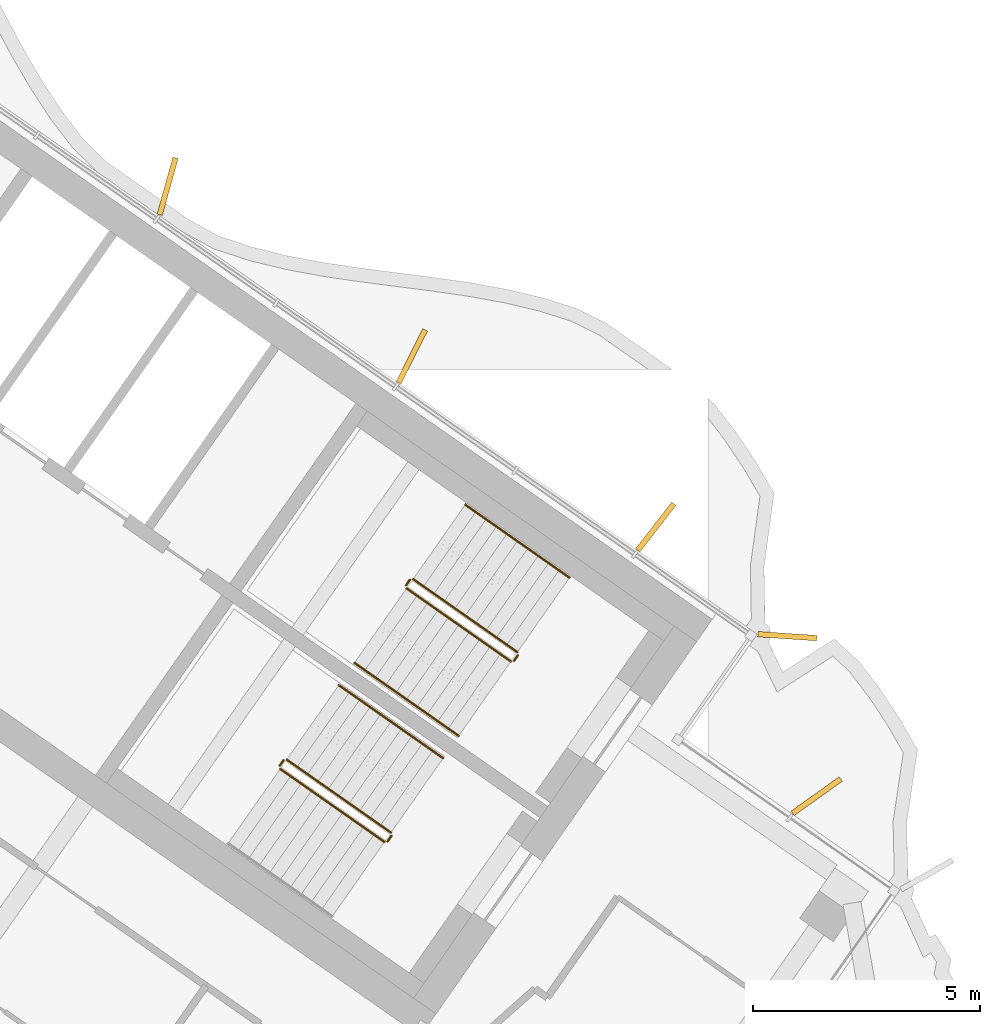
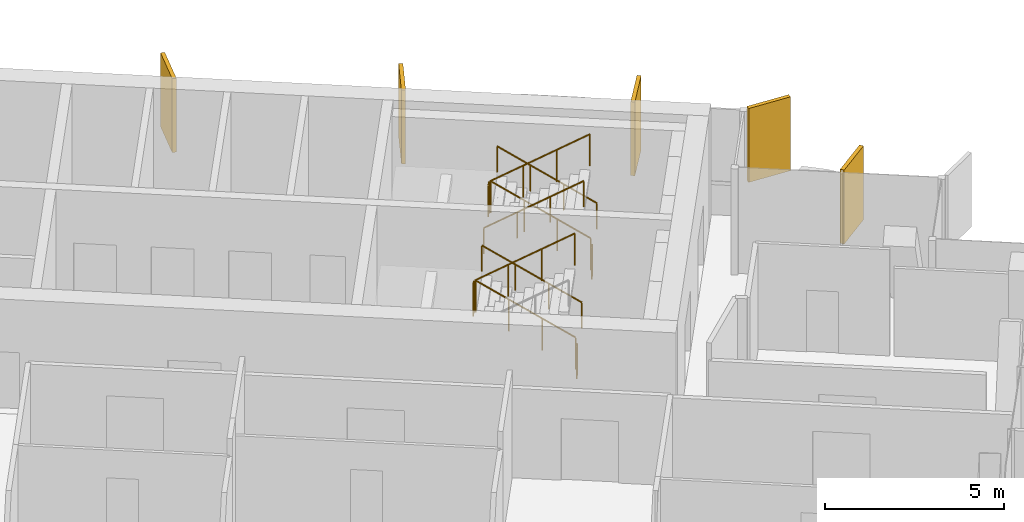
# One storey, part 19 of 20: 11 railings, 5 shading devices.
"""IFC4 building model written with IfcOpenShell, lengths in metres."""

import ifcopenshell
import ifcopenshell.guid

model = None  # the IFC model being written
_history = None  # IfcOwnerHistory: only IFC2X3 demands one
_inside = {}  # id of a spatial element -> (the spatial element, [elements in it])
_under = {}  # id of a project, library or spatial element -> (it, [spatial elements below it])
_declared = {}  # id of a project -> (the project, [libraries it declares])
_typed = {}  # id of a type object -> (the type object, [elements of that type])
_made_of = {}  # id of a material, layer set ... -> (it, [elements and type objects made of it])


def new_model(schema):
    """Start an empty IFC model of exactly this schema.

    Asked for "IFC4X3", IfcOpenShell would pick the latest addendum, in which some entities
    have other attributes; the version numbers below select the first issue.
    IFC2X3 requires an IfcOwnerHistory on every rooted entity: one is made here for all.
    """
    global model, _history
    if schema == "IFC4X3":
        model = ifcopenshell.file(schema_version=(4, 3, 0, 0))
    else:
        model = ifcopenshell.file(schema=schema)
    _inside.clear()
    _under.clear()
    _declared.clear()
    _typed.clear()
    _made_of.clear()
    _history = None
    if model.schema == "IFC2X3":
        org = make("IfcOrganization", Name="unknown")
        user = make(
            "IfcPersonAndOrganization",
            ThePerson=make("IfcPerson", FamilyName="unknown"),
            TheOrganization=org,
        )
        app = make(
            "IfcApplication",
            ApplicationDeveloper=org,
            Version="unknown",
            ApplicationFullName="unknown",
            ApplicationIdentifier="unknown",
        )
        _history = make(
            "IfcOwnerHistory",
            OwningUser=user,
            OwningApplication=app,
            ChangeAction="ADDED",
            CreationDate=0,
        )
    return model


def make(cls, **values):
    """One entity of the class cls with the attributes given. An attribute that is None is left unset."""
    return model.create_entity(
        cls, **{name: value for name, value in values.items() if value is not None}
    )


def rooted(cls, **values):
    """An entity with a GlobalId (a new one), such as an element, a storey or a relation."""
    return make(cls, GlobalId=ifcopenshell.guid.new(), OwnerHistory=_history, **values)


def si_unit(unit_type, name, prefix=None):
    """IfcSIUnit, for example si_unit("LENGTHUNIT", "METRE", prefix="MILLI")."""
    return make("IfcSIUnit", UnitType=unit_type, Prefix=prefix, Name=name)


def assignment(units):
    """IfcUnitAssignment: the units of a project."""
    return None if units is None else make("IfcUnitAssignment", Units=units)


def point(xyz):
    """IfcCartesianPoint."""
    return None if xyz is None else make("IfcCartesianPoint", Coordinates=xyz)


def direction(xyz):
    """IfcDirection."""
    return None if xyz is None else make("IfcDirection", DirectionRatios=xyz)


def frame(location, z_axis=None, x_axis=None):
    """IfcAxis2Placement3D, a coordinate frame: its origin and axes. An axis left out is left unset."""
    return make(
        "IfcAxis2Placement3D",
        Location=point(location),
        Axis=direction(z_axis),
        RefDirection=direction(x_axis),
    )


def frame_2d(location, x_axis=None):
    """IfcAxis2Placement2D, a coordinate frame in the plane: its origin and x axis."""
    return make(
        "IfcAxis2Placement2D", Location=point(location), RefDirection=direction(x_axis)
    )


def origin():
    """The frame at (0, 0, 0) with its axes left unset."""
    return frame((0.0, 0.0, 0.0))


def origin_2d():
    """The frame at (0, 0) in the plane with its x axis left unset."""
    return frame_2d((0.0, 0.0))


def place(relative_to, where):
    """IfcLocalPlacement: puts the frame where relative to a parent placement (None: the world)."""
    return make(
        "IfcLocalPlacement", PlacementRelTo=relative_to, RelativePlacement=where
    )


def context(
    kind, dimensions, precision=None, world=None, true_north=None, identifier=None
):
    """IfcGeometricRepresentationContext, for example the 3D "Model" context."""
    return make(
        "IfcGeometricRepresentationContext",
        ContextIdentifier=identifier,
        ContextType=kind,
        CoordinateSpaceDimension=dimensions,
        Precision=precision,
        WorldCoordinateSystem=world,
        TrueNorth=true_north,
    )


def subcontext(parent, identifier, kind, view, scale=None):
    """IfcGeometricRepresentationSubContext, for example "Body" below "Model"."""
    return make(
        "IfcGeometricRepresentationSubContext",
        ContextIdentifier=identifier,
        ContextType=kind,
        ParentContext=parent,
        TargetScale=scale,
        TargetView=view,
    )


def project(units=None, contexts=None):
    """IfcProject with its units and contexts."""
    return rooted(
        "IfcProject",
        Name="project",
        RepresentationContexts=contexts,
        UnitsInContext=assignment(units),
    )


def spatial(cls, under=None, at=None, **own):
    """A site, building, storey or space (cls), placed at a placement, below another one or the project."""
    s = rooted(cls, ObjectPlacement=at, **own)
    if under is not None:
        _under.setdefault(under.id(), (under, []))[1].append(s)
    return s


def profile(cls, at=None, kind="AREA", **sizes):
    """A parametric profile (cls). Its sizes go by their IFC names, for example OverallWidth=200.0."""
    return make(cls, ProfileType=kind, Position=at, **sizes)


def rectangle(**sizes):
    """IfcRectangleProfileDef."""
    return profile("IfcRectangleProfileDef", **sizes)


def circle(**sizes):
    """IfcCircleProfileDef."""
    return profile("IfcCircleProfileDef", **sizes)


def extrude(swept, where, along, depth):
    """IfcExtrudedAreaSolid: the profile swept, set in the frame where, extruded along a direction by depth."""
    return make(
        "IfcExtrudedAreaSolid",
        SweptArea=swept,
        Position=where,
        ExtrudedDirection=direction(along),
        Depth=depth,
    )


def shape(context_of_items, identifier, shape_type, items):
    """IfcShapeRepresentation: the items that make up one representation, for example the "Body"."""
    return make(
        "IfcShapeRepresentation",
        ContextOfItems=context_of_items,
        RepresentationIdentifier=identifier,
        RepresentationType=shape_type,
        Items=items,
    )


def material(Name=None, Category=None):
    """IfcMaterial."""
    return make("IfcMaterial", Name=Name, Category=Category)


def layer(
    of_material, thickness, ventilated=None, Name=None, Category=None, Priority=None
):
    """IfcMaterialLayer: one layer of a wall or slab, of a material (None: an air gap)."""
    return make(
        "IfcMaterialLayer",
        Material=of_material,
        LayerThickness=thickness,
        IsVentilated=ventilated,
        Name=Name,
        Category=Category,
        Priority=Priority,
    )


def layer_set(layers, Name=None):
    """IfcMaterialLayerSet."""
    return make("IfcMaterialLayerSet", MaterialLayers=layers, LayerSetName=Name)


def made_of(thing, what):
    """Note that an element or type object is made of a material, layer set ...; save() writes the relation."""
    if what is not None:
        _made_of.setdefault(what.id(), (what, []))[1].append(thing)
    return thing


def type_object(cls, material=None, **own):
    """A type object (cls), such as IfcWallType, which elements share."""
    return made_of(rooted(cls, **own), material)


def element(
    cls,
    number,
    at=None,
    inside=None,
    cuts=None,
    type_object=None,
    material=None,
    context=None,
    identifier="Body",
    shape_type=None,
    held_by="IfcProductDefinitionShape",
    body=None,
    shapes=None,
    **own,
):
    """One element of the class cls, such as IfcWall. Its Tag is "e" and its number.

    at: its placement. inside: the storey or other place that contains it. cuts: it is an
    opening in that element (IfcRelVoidsElement). A single representation is given by context,
    identifier, shape_type and body (its items); several are given by shapes. held_by: the class
    of the entity that holds the representations. save() writes the other relations.
    """
    e = rooted(cls, Tag="e%d" % number, ObjectPlacement=at, **own)
    if body is not None:
        shapes = [shape(context, identifier, shape_type, body)]
    if shapes is not None:
        e.Representation = make(held_by, Representations=shapes)
    if inside is not None:
        _inside.setdefault(inside.id(), (inside, []))[1].append(e)
    if cuts is not None:
        rooted(
            "IfcRelVoidsElement", RelatingBuildingElement=cuts, RelatedOpeningElement=e
        )
    if type_object is not None:
        _typed.setdefault(type_object.id(), (type_object, []))[1].append(e)
    return made_of(e, material)


def aggregate(whole, parts):
    """IfcRelAggregates: a whole, such as a stair, and the parts it consists of."""
    return rooted("IfcRelAggregates", RelatingObject=whole, RelatedObjects=parts)


def save(model, path):
    """Write the relations noted so far, then the file.

    IfcRelAggregates (storeys below a building ...), IfcRelContainedInSpatialStructure (elements
    in a storey), IfcRelDefinesByType, IfcRelAssociatesMaterial and IfcRelDeclares: one each for
    every whole, place, type object, material and project.
    """
    for whole, parts in _under.values():
        aggregate(whole, parts)
    for where, things in _inside.values():
        rooted(
            "IfcRelContainedInSpatialStructure",
            RelatedElements=things,
            RelatingStructure=where,
        )
    for kind, things in _typed.values():
        rooted("IfcRelDefinesByType", RelatedObjects=things, RelatingType=kind)
    for what, things in _made_of.values():
        rooted("IfcRelAssociatesMaterial", RelatedObjects=things, RelatingMaterial=what)
    for by, libraries in _declared.values():
        rooted("IfcRelDeclares", RelatingContext=by, RelatedDefinitions=libraries)
    model.write(path)


model = new_model("IFC4")

# Units and contexts
model_context = context("Model", 3, precision=1e-05, world=origin(), true_north=direction((0.0, 1.0)))
body_context = subcontext(model_context, "Body", "Model", "MODEL_VIEW")
ifc_project = project(units=[si_unit("LENGTHUNIT", "METRE"), si_unit("AREAUNIT", "SQUARE_METRE"), si_unit("VOLUMEUNIT", "CUBIC_METRE"), si_unit("PLANEANGLEUNIT", "RADIAN"), si_unit("MASSUNIT", "GRAM", prefix="KILO")], contexts=[model_context])

# Site, building, storey
site_placement = place(None, origin())
site = spatial("IfcSite", under=ifc_project, at=site_placement, CompositionType="ELEMENT")
building_placement = place(site_placement, origin())
building = spatial("IfcBuilding", under=site, at=building_placement, Name="Tel Ilan Convention Tower", CompositionType="ELEMENT")
storey_placement = place(building_placement, frame((0.0, 0.0, 244.89990234375)))
storey = spatial("IfcBuildingStorey", under=building, at=storey_placement, Name="L57", CompositionType="ELEMENT", Elevation=244.89990234375)

# Shading devices
ifc_material_1 = material(Name="Aluminium, bronze anodised", Category="aluminium")
ifc_layer = layer(ifc_material_1, 0.1201171875)
ifc_layer_set = layer_set([ifc_layer], Name="FIN BRONZE 1300x120")
shading_device_type = type_object("IfcShadingDeviceType", Name="FIN BRONZE 1300x120", PredefinedType="USERDEFINED", material=ifc_layer_set)
for number, where, z_axis, x_axis, name in (
    (1, (29.62109375, -7.500732421875, 1.10009765625), (0.0, 0.0, 1.0), (0.997697449973, -0.067821812994, 0.0), "FIN"),
    (2, (26.725830078125, -5.099853515625, 1.10009765625), (0.0, 0.0, 1.0), (0.612600545196, 0.790392669516, 0.0), "FIN"),
    (3, (21.357421875, -1.34130859375, 1.10009765625), (0.0, 0.0, 1.0), (0.448799180206, 0.893632640321, 0.0), "FIN"),
    (4, (15.981201171875, 2.39990234375, 1.10009765625), (0.0, 0.0, 1.0), (0.268172612768, 0.963370878614, 0.0), "FIN"),
    (5, (30.268310546875, -11.022216796875, 1.10009765625), (0.0, 0.0, 1.0), (0.813552070258, 0.581492071294, 0.0), "FIN"),
):
    element("IfcShadingDevice", number, at=place(storey_placement, frame(where, z_axis=z_axis, x_axis=x_axis)), inside=storey, type_object=shading_device_type, Name=name, ObjectType="FIN", PredefinedType="USERDEFINED", context=body_context, shape_type="SweptSolid", body=[
        extrude(rectangle(XDim=1.300048828125, YDim=0.1201171875, at=origin_2d()), origin(), (0.0, 0.0, 1.0), 2.52001953125),
    ])

# Railings
ifc_material_2 = material(Name="Stainless Steel Grade 316", Category="steel")
railing_type_1 = type_object("IfcRailingType", Name="Stainless Steel Stair Guard 1100 mm", PredefinedType="GUARDRAIL", material=ifc_material_2)
railing_1_placement = place(storey_placement, frame((23.6787109375, -7.8515625, 0.177490234375)))
element("IfcRailing", 6, at=railing_1_placement, inside=storey, type_object=railing_type_1, Name="L57 S3 stair guard 1", PredefinedType="GUARDRAIL", context=body_context, shape_type="SweptSolid", body=[
    extrude(circle(Radius=0.02392578125, at=origin_2d()), frame((0.0, 0.0, 1.076171875), z_axis=(-0.692084706163, 0.484621375041, 0.534940073605), x_axis=(-0.573591086599, -0.819141785879, 0.0)), (0.0, 0.0, 1.0), 3.313720703125),
    extrude(circle(Radius=0.02099609375, at=origin_2d()), origin(), (0.0, 0.0, 1.0), 1.052001953125),
    extrude(circle(Radius=0.02099609375, at=origin_2d()), frame((-0.764404296875, 0.535400390625, 0.5908203125)), (0.0, 0.0, 1.0), 1.052001953125),
    extrude(circle(Radius=0.02099609375, at=origin_2d()), frame((-1.529052734375, 1.070556640625, 1.181884765625)), (0.0, 0.0, 1.0), 1.052001953125),
    extrude(circle(Radius=0.02099609375, at=origin_2d()), frame((-2.29345703125, 1.60595703125, 1.772705078125)), (0.0, 0.0, 1.0), 1.052001953125),
])
railing_2_placement = place(storey_placement, frame((21.3154296875, -6.2578125, 1.9501953125)))
element("IfcRailing", 7, at=railing_2_placement, inside=storey, type_object=railing_type_1, Name="L57 S3 stair guard 2", PredefinedType="GUARDRAIL", context=body_context, shape_type="SweptSolid", body=[
    extrude(circle(Radius=0.02392578125, at=origin_2d()), frame((0.0, 0.0, 1.076171875), z_axis=(-0.573353020881, -0.819308436089, 0.0), x_axis=(0.819308436089, -0.573353020881, 0.0)), (0.0, 0.0, 1.0), 0.14990234375),
    extrude(circle(Radius=0.02099609375, at=origin_2d()), origin(), (0.0, 0.0, 1.0), 1.052001953125),
    extrude(circle(Radius=0.02099609375, at=origin_2d()), frame((-0.0859375, -0.122802734375, 0.0)), (0.0, 0.0, 1.0), 1.052001953125),
])
railing_3_placement = place(storey_placement, frame((21.24169921875, -6.4501953125, 2.12744140625)))
element("IfcRailing", 8, at=railing_3_placement, inside=storey, type_object=railing_type_1, Name="L57 S3 stair guard 3", PredefinedType="GUARDRAIL", context=body_context, shape_type="SweptSolid", body=[
    extrude(circle(Radius=0.02392578125, at=origin_2d()), frame((0.0, 0.0, 1.076171875), z_axis=(0.692098378994, -0.484653031975, 0.534893701956), x_axis=(0.573608623498, 0.819129505664, 0.0)), (0.0, 0.0, 1.0), 3.314208984375),
    extrude(circle(Radius=0.02099609375, at=origin_2d()), origin(), (0.0, 0.0, 1.0), 1.052001953125),
    extrude(circle(Radius=0.02099609375, at=origin_2d()), frame((0.7646484375, -0.535400390625, 0.5908203125)), (0.0, 0.0, 1.0), 1.052001953125),
    extrude(circle(Radius=0.02099609375, at=origin_2d()), frame((1.529052734375, -1.07080078125, 1.181884765625)), (0.0, 0.0, 1.0), 1.052001953125),
    extrude(circle(Radius=0.02099609375, at=origin_2d()), frame((2.293701171875, -1.606201171875, 1.772705078125)), (0.0, 0.0, 1.0), 1.052001953125),
])
railing_4_placement = place(storey_placement, frame((23.691162109375, -7.921142578125, 0.0)))
element("IfcRailing", 9, at=railing_4_placement, inside=storey, type_object=railing_type_1, Name="L57 S3 stair guard 4", PredefinedType="GUARDRAIL", context=body_context, shape_type="SweptSolid", body=[
    extrude(circle(Radius=0.02392578125, at=origin_2d()), frame((0.0, 0.0, 1.076171875), z_axis=(-0.574444878118, -0.818543268254, 0.0), x_axis=(0.818543268254, -0.574444878118, 0.0)), (0.0, 0.0, 1.0), 0.150146484375),
    extrude(circle(Radius=0.02099609375, at=origin_2d()), origin(), (0.0, 0.0, 1.0), 1.052001953125),
    extrude(circle(Radius=0.02099609375, at=origin_2d()), frame((-0.086181640625, -0.122802734375, 0.0)), (0.0, 0.0, 1.0), 1.052001953125),
])
railing_5_placement = place(storey_placement, frame((20.89697265625, -11.824462890625, 0.177490234375)))
element("IfcRailing", 10, at=railing_5_placement, inside=storey, type_object=railing_type_1, Name="L57 S4 stair guard 1", PredefinedType="GUARDRAIL", context=body_context, shape_type="SweptSolid", body=[
    extrude(circle(Radius=0.02392578125, at=origin_2d()), frame((0.0, 0.0, 1.076171875), z_axis=(-0.692123088272, 0.484596665743, 0.534912798717), x_axis=(-0.573550118428, -0.819170471667, 0.0)), (0.0, 0.0, 1.0), 3.31396484375),
    extrude(circle(Radius=0.02099609375, at=origin_2d()), origin(), (0.0, 0.0, 1.0), 1.052001953125),
    extrude(circle(Radius=0.02099609375, at=origin_2d()), frame((-0.7646484375, 0.535400390625, 0.5908203125)), (0.0, 0.0, 1.0), 1.052001953125),
    extrude(circle(Radius=0.02099609375, at=origin_2d()), frame((-1.529052734375, 1.070556640625, 1.181884765625)), (0.0, 0.0, 1.0), 1.052001953125),
    extrude(circle(Radius=0.02099609375, at=origin_2d()), frame((-2.293701171875, 1.60595703125, 1.772705078125)), (0.0, 0.0, 1.0), 1.052001953125),
])
railing_6_placement = place(storey_placement, frame((18.53369140625, -10.230712890625, 1.9501953125)))
element("IfcRailing", 11, at=railing_6_placement, inside=storey, type_object=railing_type_1, Name="L57 S4 stair guard 2", PredefinedType="GUARDRAIL", context=body_context, shape_type="SweptSolid", body=[
    extrude(circle(Radius=0.02392578125, at=origin_2d()), frame((0.0, 0.0, 1.076171875), z_axis=(-0.573353020881, -0.819308436089, 0.0), x_axis=(0.819308436089, -0.573353020881, 0.0)), (0.0, 0.0, 1.0), 0.14990234375),
    extrude(circle(Radius=0.02099609375, at=origin_2d()), origin(), (0.0, 0.0, 1.0), 1.052001953125),
    extrude(circle(Radius=0.02099609375, at=origin_2d()), frame((-0.0859375, -0.122802734375, 0.0)), (0.0, 0.0, 1.0), 1.052001953125),
])
railing_7_placement = place(storey_placement, frame((18.4599609375, -10.423095703125, 2.12744140625)))
element("IfcRailing", 12, at=railing_7_placement, inside=storey, type_object=railing_type_1, Name="L57 S4 stair guard 3", PredefinedType="GUARDRAIL", context=body_context, shape_type="SweptSolid", body=[
    extrude(circle(Radius=0.02392578125, at=origin_2d()), frame((0.0, 0.0, 1.076171875), z_axis=(0.692098378994, -0.484653031975, 0.534893701956), x_axis=(0.573608623498, 0.819129505664, 0.0)), (0.0, 0.0, 1.0), 3.314208984375),
    extrude(circle(Radius=0.02099609375, at=origin_2d()), origin(), (0.0, 0.0, 1.0), 1.052001953125),
    extrude(circle(Radius=0.02099609375, at=origin_2d()), frame((0.7646484375, -0.535400390625, 0.5908203125)), (0.0, 0.0, 1.0), 1.052001953125),
    extrude(circle(Radius=0.02099609375, at=origin_2d()), frame((1.529052734375, -1.07080078125, 1.181884765625)), (0.0, 0.0, 1.0), 1.052001953125),
    extrude(circle(Radius=0.02099609375, at=origin_2d()), frame((2.293701171875, -1.606201171875, 1.772705078125)), (0.0, 0.0, 1.0), 1.052001953125),
])
railing_8_placement = place(storey_placement, frame((20.9091796875, -11.89404296875, 0.0)))
element("IfcRailing", 13, at=railing_8_placement, inside=storey, type_object=railing_type_1, Name="L57 S4 stair guard 4", PredefinedType="GUARDRAIL", context=body_context, shape_type="SweptSolid", body=[
    extrude(circle(Radius=0.02392578125, at=origin_2d()), frame((0.0, 0.0, 1.076171875), z_axis=(-0.573353020881, -0.819308436089, 0.0), x_axis=(0.819308436089, -0.573353020881, 0.0)), (0.0, 0.0, 1.0), 0.14990234375),
    extrude(circle(Radius=0.02099609375, at=origin_2d()), origin(), (0.0, 0.0, 1.0), 1.052001953125),
    extrude(circle(Radius=0.02099609375, at=origin_2d()), frame((-0.0859375, -0.122802734375, 0.0)), (0.0, 0.0, 1.0), 1.052001953125),
])
ifc_material_3 = material(Name="Stainless Steel Grade 316", Category="steel")
railing_type_2 = type_object("IfcRailingType", Name="Stainless Steel Stair Handrail 900 mm", PredefinedType="HANDRAIL", material=ifc_material_3)
railing_9_placement = place(storey_placement, frame((24.825927734375, -6.213134765625, 0.177490234375)))
element("IfcRailing", 14, at=railing_9_placement, inside=storey, type_object=railing_type_2, Name="L57 S3 stair handrail 1", PredefinedType="HANDRAIL", context=body_context, shape_type="SweptSolid", body=[
    extrude(circle(Radius=0.02392578125, at=origin_2d()), frame((0.0, 0.0, 0.8759765625), z_axis=(-0.692123088272, 0.484596665743, 0.534912798717), x_axis=(-0.573550118428, -0.819170471667, 0.0)), (0.0, 0.0, 1.0), 3.31396484375),
    extrude(circle(Radius=0.02099609375, at=origin_2d()), origin(), (0.0, 0.0, 1.0), 0.851806640625),
    extrude(circle(Radius=0.02099609375, at=origin_2d()), frame((-0.7646484375, 0.535400390625, 0.5908203125)), (0.0, 0.0, 1.0), 0.851806640625),
    extrude(circle(Radius=0.02099609375, at=origin_2d()), frame((-1.529052734375, 1.070556640625, 1.181884765625)), (0.0, 0.0, 1.0), 0.851806640625),
    extrude(circle(Radius=0.02099609375, at=origin_2d()), frame((-2.293701171875, 1.60595703125, 1.772705078125)), (0.0, 0.0, 1.0), 0.851806640625),
])
railing_10_placement = place(storey_placement, frame((20.0947265625, -8.088623046875, 2.12744140625)))
element("IfcRailing", 15, at=railing_10_placement, inside=storey, type_object=railing_type_2, Name="L57 S3 stair handrail 2", PredefinedType="HANDRAIL", context=body_context, shape_type="SweptSolid", body=[
    extrude(circle(Radius=0.02392578125, at=origin_2d()), frame((0.0, 0.0, 0.8759765625), z_axis=(0.692084706163, -0.484621375041, 0.534940073605), x_axis=(0.573591086599, 0.819141785879, 0.0)), (0.0, 0.0, 1.0), 3.313720703125),
    extrude(circle(Radius=0.02099609375, at=origin_2d()), origin(), (0.0, 0.0, 1.0), 0.851806640625),
    extrude(circle(Radius=0.02099609375, at=origin_2d()), frame((0.764404296875, -0.535400390625, 0.5908203125)), (0.0, 0.0, 1.0), 0.851806640625),
    extrude(circle(Radius=0.02099609375, at=origin_2d()), frame((1.529052734375, -1.070556640625, 1.181884765625)), (0.0, 0.0, 1.0), 0.851806640625),
    extrude(circle(Radius=0.02099609375, at=origin_2d()), frame((2.29345703125, -1.60595703125, 1.772705078125)), (0.0, 0.0, 1.0), 0.851806640625),
])
railing_11_placement = place(storey_placement, frame((22.044189453125, -10.18603515625, 0.177490234375)))
element("IfcRailing", 16, at=railing_11_placement, inside=storey, type_object=railing_type_2, Name="L57 S4 stair handrail 1", PredefinedType="HANDRAIL", context=body_context, shape_type="SweptSolid", body=[
    extrude(circle(Radius=0.02392578125, at=origin_2d()), frame((0.0, 0.0, 0.8759765625), z_axis=(-0.692123088272, 0.484596665743, 0.534912798717), x_axis=(-0.573550118428, -0.819170471667, 0.0)), (0.0, 0.0, 1.0), 3.31396484375),
    extrude(circle(Radius=0.02099609375, at=origin_2d()), origin(), (0.0, 0.0, 1.0), 0.851806640625),
    extrude(circle(Radius=0.02099609375, at=origin_2d()), frame((-0.7646484375, 0.535400390625, 0.5908203125)), (0.0, 0.0, 1.0), 0.851806640625),
    extrude(circle(Radius=0.02099609375, at=origin_2d()), frame((-1.529052734375, 1.070556640625, 1.181884765625)), (0.0, 0.0, 1.0), 0.851806640625),
    extrude(circle(Radius=0.02099609375, at=origin_2d()), frame((-2.293701171875, 1.60595703125, 1.772705078125)), (0.0, 0.0, 1.0), 0.851806640625),
])

save(model, "model.ifc")
